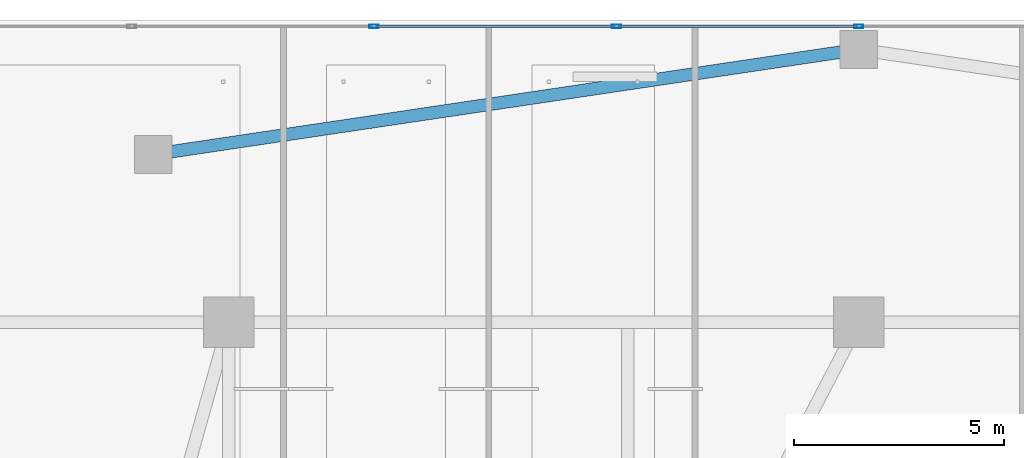
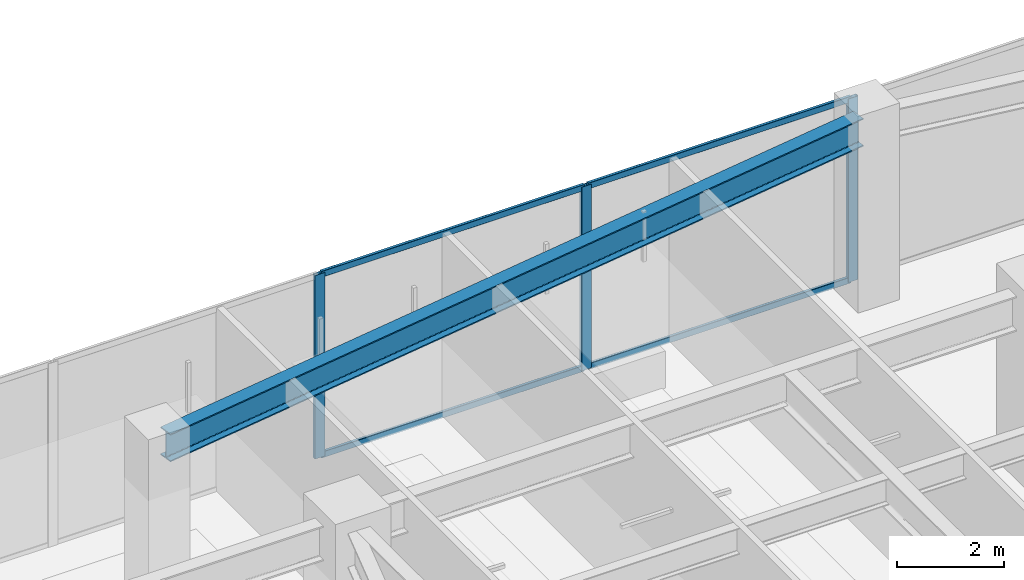
# One storey, part 12 of 27: 7 members, 1 beam, 1 element without a shape of its own.
"""IFC4 building model written with IfcOpenShell, lengths in metres."""

from ifc_helpers import new_model, si_unit, direction, frame, origin, origin_2d, place, context, subcontext, project, spatial, hollow_rectangle, i_section, extrude, material, layer, layer_set, material_profile, profile_set, type_object, element, aggregate, save


model = new_model("IFC4")

# Units and contexts
model_context = context("Model", 3, precision=1e-05, world=origin(), true_north=direction((0.0, 1.0)))
body_context = subcontext(model_context, "Body", "Model", "MODEL_VIEW")
ifc_project = project(units=[si_unit("LENGTHUNIT", "METRE"), si_unit("AREAUNIT", "SQUARE_METRE"), si_unit("VOLUMEUNIT", "CUBIC_METRE"), si_unit("PLANEANGLEUNIT", "RADIAN"), si_unit("MASSUNIT", "GRAM", prefix="KILO")], contexts=[model_context])

# Site, building, storey
site_placement = place(None, origin())
site = spatial("IfcSite", under=ifc_project, at=site_placement, CompositionType="ELEMENT")
building_placement = place(site_placement, origin())
building = spatial("IfcBuilding", under=site, at=building_placement, Name="Tarnavaz Court Tower", CompositionType="ELEMENT")
storey_placement = place(building_placement, frame((0.0, 0.0, 9.89990234375)))
storey = spatial("IfcBuildingStorey", under=building, at=storey_placement, Name="L02", CompositionType="ELEMENT", Elevation=9.89990234375)

# Beam
ifc_material_1 = material(Name="Steel S355", Category="steel")
ifc_material_profile_1 = material_profile(ifc_material_1, i_section(OverallWidth=0.300048828125, OverallDepth=0.639892578125, WebThickness=0.013427734375, FlangeThickness=0.02587890625, FilletRadius=0.027099609375, at=origin_2d()), Name="HEA 650")
ifc_profile_set_1 = profile_set([ifc_material_profile_1], Name="Steel S355")
beam_type = type_object("IfcBeamType", Name="BM-SP-HEA650", PredefinedType="SPANDREL", material=ifc_profile_set_1)
beam_placement = place(storey_placement, frame((-16.602294921875, 26.829345703125, 3.880126953125), z_axis=(0.989108332922, 0.147189353368, 0.0), x_axis=(-0.147189353368, 0.989108332922, 0.0)))
element("IfcBeam", 1, at=beam_placement, inside=storey, type_object=beam_type, Name="L02 Beam PR-POD-N1-POD-N2", PredefinedType="SPANDREL", context=body_context, shape_type="SweptSolid", body=[
    extrude(i_section(OverallWidth=0.300048828125, OverallDepth=0.639892578125, WebThickness=0.013427734375, FlangeThickness=0.02587890625, FilletRadius=0.027099609375, at=origin_2d()), origin(), (0.0, 0.0, 1.0), 16.585205078125),
])

# Curtain wall, members
ifc_material_2 = material(Name="Anodised Aluminium 6063-T6 and Solar Low-E Glazing", Category="aluminium")
ifc_layer = layer(ifc_material_2, 0.18994140625)
ifc_layer_set = layer_set([ifc_layer], Name="Anodised Aluminium 6063-T6 and Solar Low-E Glazing")
curtain_wall_type = type_object("IfcCurtainWallType", Name="CW-SYS-01", PredefinedType="NOTDEFINED", material=ifc_layer_set)
curtain_wall_placement = place(storey_placement, origin())
curtain_wall = element("IfcCurtainWall", 2, at=curtain_wall_placement, inside=storey, type_object=curtain_wall_type, Name="L02 Clinic Podium Curtain Wall 1", PredefinedType="NOTDEFINED")
ifc_material_3 = material(Name="Anodised Aluminium 6063-T6", Category="aluminium")
ifc_material_profile_2 = material_profile(ifc_material_3, hollow_rectangle(XDim=0.0849609375, YDim=0.219970703125, WallThickness=0.006103515625, InnerFilletRadius=0.006103515625, OuterFilletRadius=0.011962890625, at=origin_2d()), Name="ALU RHS 220X85X6")
ifc_profile_set_2 = profile_set([ifc_material_profile_2], Name="Anodised Aluminium 6063-T6")
member_type_1 = type_object("IfcMemberType", Name="CW-MUL-220", PredefinedType="MULLION", material=ifc_profile_set_2)
member_1_placement = place(storey_placement, frame((-11.5400390625, 29.85009765625, 0.0), z_axis=(0.0, 0.0, 1.0), x_axis=(0.0, 1.0, 0.0)))
member_1 = element("IfcMember", 3, at=member_1_placement, type_object=member_type_1, Name="CW mullion 4", PredefinedType="MULLION", context=body_context, shape_type="SweptSolid", body=[
    extrude(hollow_rectangle(XDim=0.0849609375, YDim=0.219970703125, WallThickness=0.006103515625, InnerFilletRadius=0.006103515625, OuterFilletRadius=0.011962890625, at=origin_2d()), origin(), (0.0, 0.0, 1.0), 4.2001953125),
])
member_2_placement = place(storey_placement, frame((-5.77001953125, 29.85009765625, 0.0), z_axis=(0.0, 0.0, 1.0), x_axis=(0.0, 1.0, 0.0)))
member_2 = element("IfcMember", 4, at=member_2_placement, type_object=member_type_1, Name="CW mullion 5", PredefinedType="MULLION", context=body_context, shape_type="SweptSolid", body=[
    extrude(hollow_rectangle(XDim=0.0849609375, YDim=0.219970703125, WallThickness=0.006103515625, InnerFilletRadius=0.006103515625, OuterFilletRadius=0.011962890625, at=origin_2d()), origin(), (0.0, 0.0, 1.0), 4.2001953125),
])
member_3_placement = place(storey_placement, frame((0.0, 29.85009765625, 0.0), z_axis=(0.0, 0.0, 1.0), x_axis=(0.0, 1.0, 0.0)))
member_3 = element("IfcMember", 5, at=member_3_placement, type_object=member_type_1, Name="CW mullion 6", PredefinedType="MULLION", context=body_context, shape_type="SweptSolid", body=[
    extrude(hollow_rectangle(XDim=0.0849609375, YDim=0.219970703125, WallThickness=0.006103515625, InnerFilletRadius=0.006103515625, OuterFilletRadius=0.011962890625, at=origin_2d()), origin(), (0.0, 0.0, 1.0), 4.2001953125),
])
ifc_material_profile_3 = material_profile(ifc_material_3, hollow_rectangle(XDim=0.06494140625, YDim=0.139892578125, WallThickness=0.00390625, InnerFilletRadius=0.00390625, OuterFilletRadius=0.008056640625, at=origin_2d()), Name="ALU RHS 140X65X4")
ifc_profile_set_3 = profile_set([ifc_material_profile_3], Name="Anodised Aluminium 6063-T6")
member_type_2 = type_object("IfcMemberType", Name="CW-TRN-140", PredefinedType="USERDEFINED", material=ifc_profile_set_3)
member_4_placement = place(storey_placement, frame((-11.49755859375, 29.85009765625, 0.03271484375), z_axis=(1.0, 0.0, 0.0), x_axis=(0.0, 1.0, 0.0)))
member_4 = element("IfcMember", 6, at=member_4_placement, type_object=member_type_2, Name="CW transom 4.1", ObjectType="TRANSOM", PredefinedType="USERDEFINED", context=body_context, shape_type="SweptSolid", body=[
    extrude(hollow_rectangle(XDim=0.06494140625, YDim=0.139892578125, WallThickness=0.00390625, InnerFilletRadius=0.00390625, OuterFilletRadius=0.008056640625, at=origin_2d()), origin(), (0.0, 0.0, 1.0), 5.68505859375),
])
member_5_placement = place(storey_placement, frame((-11.49755859375, 29.85009765625, 4.16748046875), z_axis=(1.0, 0.0, 0.0), x_axis=(0.0, 1.0, 0.0)))
member_5 = element("IfcMember", 7, at=member_5_placement, type_object=member_type_2, Name="CW transom 4.2", ObjectType="TRANSOM", PredefinedType="USERDEFINED", context=body_context, shape_type="SweptSolid", body=[
    extrude(hollow_rectangle(XDim=0.06494140625, YDim=0.139892578125, WallThickness=0.00390625, InnerFilletRadius=0.00390625, OuterFilletRadius=0.008056640625, at=origin_2d()), origin(), (0.0, 0.0, 1.0), 5.68505859375),
])
member_6_placement = place(storey_placement, frame((-5.7275390625, 29.85009765625, 0.03271484375), z_axis=(1.0, 0.0, 0.0), x_axis=(0.0, 1.0, 0.0)))
member_6 = element("IfcMember", 8, at=member_6_placement, type_object=member_type_2, Name="CW transom 5.1", ObjectType="TRANSOM", PredefinedType="USERDEFINED", context=body_context, shape_type="SweptSolid", body=[
    extrude(hollow_rectangle(XDim=0.06494140625, YDim=0.139892578125, WallThickness=0.00390625, InnerFilletRadius=0.00390625, OuterFilletRadius=0.008056640625, at=origin_2d()), origin(), (0.0, 0.0, 1.0), 5.68505859375),
])
member_7_placement = place(storey_placement, frame((-5.7275390625, 29.85009765625, 4.16748046875), z_axis=(1.0, 0.0, 0.0), x_axis=(0.0, 1.0, 0.0)))
member_7 = element("IfcMember", 9, at=member_7_placement, type_object=member_type_2, Name="CW transom 5.2", ObjectType="TRANSOM", PredefinedType="USERDEFINED", context=body_context, shape_type="SweptSolid", body=[
    extrude(hollow_rectangle(XDim=0.06494140625, YDim=0.139892578125, WallThickness=0.00390625, InnerFilletRadius=0.00390625, OuterFilletRadius=0.008056640625, at=origin_2d()), origin(), (0.0, 0.0, 1.0), 5.68505859375),
])
aggregate(curtain_wall, [member_1, member_2, member_3, member_4, member_5, member_6, member_7])

save(model, "model.ifc")
